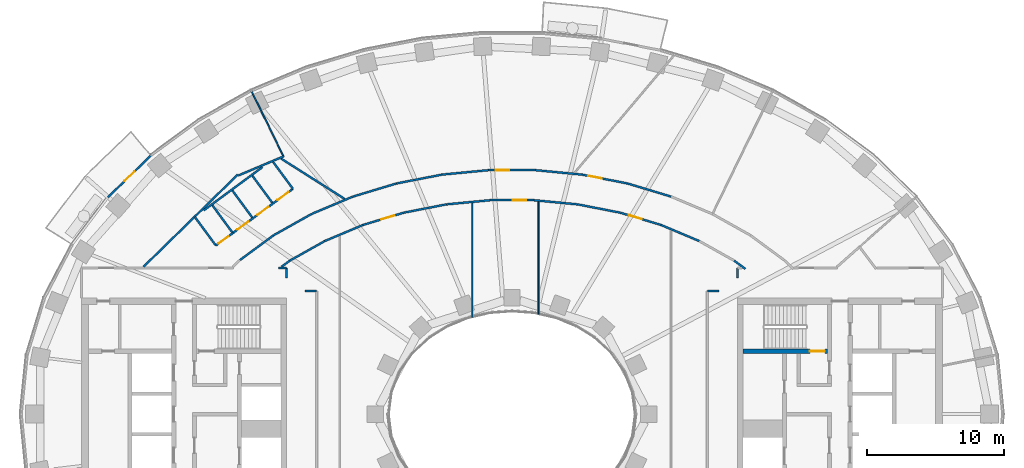
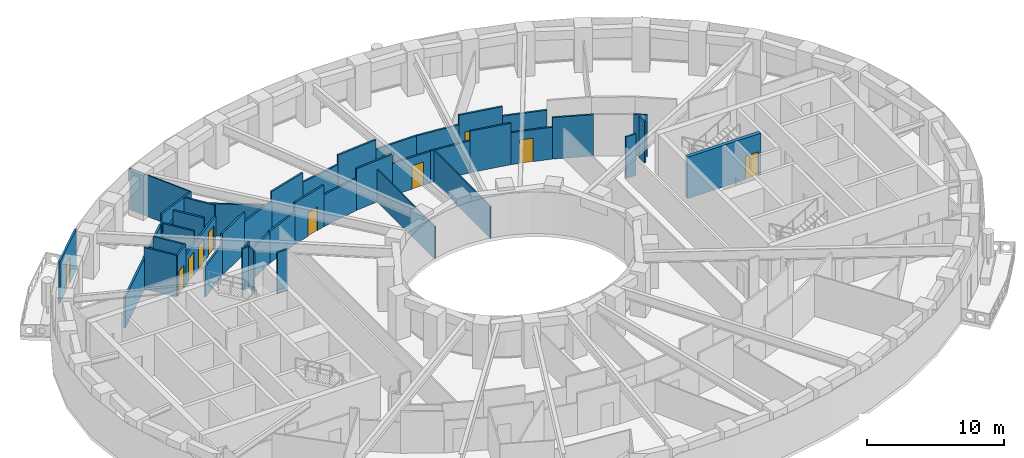
# One storey, part 6 of 17: 43 walls, 11 doors, 11 openings.
"""IFC4 building model written with IfcOpenShell, lengths in metres."""

import ifcopenshell
import ifcopenshell.guid

model = None  # the IFC model being written
_history = None  # IfcOwnerHistory: only IFC2X3 demands one
_inside = {}  # id of a spatial element -> (the spatial element, [elements in it])
_under = {}  # id of a project, library or spatial element -> (it, [spatial elements below it])
_declared = {}  # id of a project -> (the project, [libraries it declares])
_typed = {}  # id of a type object -> (the type object, [elements of that type])
_made_of = {}  # id of a material, layer set ... -> (it, [elements and type objects made of it])


def new_model(schema):
    """Start an empty IFC model of exactly this schema.

    Asked for "IFC4X3", IfcOpenShell would pick the latest addendum, in which some entities
    have other attributes; the version numbers below select the first issue.
    IFC2X3 requires an IfcOwnerHistory on every rooted entity: one is made here for all.
    """
    global model, _history
    if schema == "IFC4X3":
        model = ifcopenshell.file(schema_version=(4, 3, 0, 0))
    else:
        model = ifcopenshell.file(schema=schema)
    _inside.clear()
    _under.clear()
    _declared.clear()
    _typed.clear()
    _made_of.clear()
    _history = None
    if model.schema == "IFC2X3":
        org = make("IfcOrganization", Name="unknown")
        user = make(
            "IfcPersonAndOrganization",
            ThePerson=make("IfcPerson", FamilyName="unknown"),
            TheOrganization=org,
        )
        app = make(
            "IfcApplication",
            ApplicationDeveloper=org,
            Version="unknown",
            ApplicationFullName="unknown",
            ApplicationIdentifier="unknown",
        )
        _history = make(
            "IfcOwnerHistory",
            OwningUser=user,
            OwningApplication=app,
            ChangeAction="ADDED",
            CreationDate=0,
        )
    return model


def make(cls, **values):
    """One entity of the class cls with the attributes given. An attribute that is None is left unset."""
    return model.create_entity(
        cls, **{name: value for name, value in values.items() if value is not None}
    )


def rooted(cls, **values):
    """An entity with a GlobalId (a new one), such as an element, a storey or a relation."""
    return make(cls, GlobalId=ifcopenshell.guid.new(), OwnerHistory=_history, **values)


def si_unit(unit_type, name, prefix=None):
    """IfcSIUnit, for example si_unit("LENGTHUNIT", "METRE", prefix="MILLI")."""
    return make("IfcSIUnit", UnitType=unit_type, Prefix=prefix, Name=name)


def assignment(units):
    """IfcUnitAssignment: the units of a project."""
    return None if units is None else make("IfcUnitAssignment", Units=units)


def point(xyz):
    """IfcCartesianPoint."""
    return None if xyz is None else make("IfcCartesianPoint", Coordinates=xyz)


def direction(xyz):
    """IfcDirection."""
    return None if xyz is None else make("IfcDirection", DirectionRatios=xyz)


def frame(location, z_axis=None, x_axis=None):
    """IfcAxis2Placement3D, a coordinate frame: its origin and axes. An axis left out is left unset."""
    return make(
        "IfcAxis2Placement3D",
        Location=point(location),
        Axis=direction(z_axis),
        RefDirection=direction(x_axis),
    )


def frame_2d(location, x_axis=None):
    """IfcAxis2Placement2D, a coordinate frame in the plane: its origin and x axis."""
    return make(
        "IfcAxis2Placement2D", Location=point(location), RefDirection=direction(x_axis)
    )


def origin():
    """The frame at (0, 0, 0) with its axes left unset."""
    return frame((0.0, 0.0, 0.0))


def place(relative_to, where):
    """IfcLocalPlacement: puts the frame where relative to a parent placement (None: the world)."""
    return make(
        "IfcLocalPlacement", PlacementRelTo=relative_to, RelativePlacement=where
    )


def context(
    kind, dimensions, precision=None, world=None, true_north=None, identifier=None
):
    """IfcGeometricRepresentationContext, for example the 3D "Model" context."""
    return make(
        "IfcGeometricRepresentationContext",
        ContextIdentifier=identifier,
        ContextType=kind,
        CoordinateSpaceDimension=dimensions,
        Precision=precision,
        WorldCoordinateSystem=world,
        TrueNorth=true_north,
    )


def subcontext(parent, identifier, kind, view, scale=None):
    """IfcGeometricRepresentationSubContext, for example "Body" below "Model"."""
    return make(
        "IfcGeometricRepresentationSubContext",
        ContextIdentifier=identifier,
        ContextType=kind,
        ParentContext=parent,
        TargetScale=scale,
        TargetView=view,
    )


def project(units=None, contexts=None):
    """IfcProject with its units and contexts."""
    return rooted(
        "IfcProject",
        Name="project",
        RepresentationContexts=contexts,
        UnitsInContext=assignment(units),
    )


def spatial(cls, under=None, at=None, **own):
    """A site, building, storey or space (cls), placed at a placement, below another one or the project."""
    s = rooted(cls, ObjectPlacement=at, **own)
    if under is not None:
        _under.setdefault(under.id(), (under, []))[1].append(s)
    return s


def profile(cls, at=None, kind="AREA", **sizes):
    """A parametric profile (cls). Its sizes go by their IFC names, for example OverallWidth=200.0."""
    return make(cls, ProfileType=kind, Position=at, **sizes)


def rectangle(**sizes):
    """IfcRectangleProfileDef."""
    return profile("IfcRectangleProfileDef", **sizes)


def extrude(swept, where, along, depth):
    """IfcExtrudedAreaSolid: the profile swept, set in the frame where, extruded along a direction by depth."""
    return make(
        "IfcExtrudedAreaSolid",
        SweptArea=swept,
        Position=where,
        ExtrudedDirection=direction(along),
        Depth=depth,
    )


def shape(context_of_items, identifier, shape_type, items):
    """IfcShapeRepresentation: the items that make up one representation, for example the "Body"."""
    return make(
        "IfcShapeRepresentation",
        ContextOfItems=context_of_items,
        RepresentationIdentifier=identifier,
        RepresentationType=shape_type,
        Items=items,
    )


def material(Name=None, Category=None):
    """IfcMaterial."""
    return make("IfcMaterial", Name=Name, Category=Category)


def layer(
    of_material, thickness, ventilated=None, Name=None, Category=None, Priority=None
):
    """IfcMaterialLayer: one layer of a wall or slab, of a material (None: an air gap)."""
    return make(
        "IfcMaterialLayer",
        Material=of_material,
        LayerThickness=thickness,
        IsVentilated=ventilated,
        Name=Name,
        Category=Category,
        Priority=Priority,
    )


def layer_set(layers, Name=None):
    """IfcMaterialLayerSet."""
    return make("IfcMaterialLayerSet", MaterialLayers=layers, LayerSetName=Name)


def made_of(thing, what):
    """Note that an element or type object is made of a material, layer set ...; save() writes the relation."""
    if what is not None:
        _made_of.setdefault(what.id(), (what, []))[1].append(thing)
    return thing


def type_object(cls, material=None, **own):
    """A type object (cls), such as IfcWallType, which elements share."""
    return made_of(rooted(cls, **own), material)


def element(
    cls,
    number,
    at=None,
    inside=None,
    cuts=None,
    type_object=None,
    material=None,
    context=None,
    identifier="Body",
    shape_type=None,
    held_by="IfcProductDefinitionShape",
    body=None,
    shapes=None,
    **own,
):
    """One element of the class cls, such as IfcWall. Its Tag is "e" and its number.

    at: its placement. inside: the storey or other place that contains it. cuts: it is an
    opening in that element (IfcRelVoidsElement). A single representation is given by context,
    identifier, shape_type and body (its items); several are given by shapes. held_by: the class
    of the entity that holds the representations. save() writes the other relations.
    """
    e = rooted(cls, Tag="e%d" % number, ObjectPlacement=at, **own)
    if body is not None:
        shapes = [shape(context, identifier, shape_type, body)]
    if shapes is not None:
        e.Representation = make(held_by, Representations=shapes)
    if inside is not None:
        _inside.setdefault(inside.id(), (inside, []))[1].append(e)
    if cuts is not None:
        rooted(
            "IfcRelVoidsElement", RelatingBuildingElement=cuts, RelatedOpeningElement=e
        )
    if type_object is not None:
        _typed.setdefault(type_object.id(), (type_object, []))[1].append(e)
    return made_of(e, material)


def fill(opening, filler):
    """IfcRelFillsElement: the door or window that sits in an opening."""
    return rooted(
        "IfcRelFillsElement",
        RelatingOpeningElement=opening,
        RelatedBuildingElement=filler,
    )


def aggregate(whole, parts):
    """IfcRelAggregates: a whole, such as a stair, and the parts it consists of."""
    return rooted("IfcRelAggregates", RelatingObject=whole, RelatedObjects=parts)


def save(model, path):
    """Write the relations noted so far, then the file.

    IfcRelAggregates (storeys below a building ...), IfcRelContainedInSpatialStructure (elements
    in a storey), IfcRelDefinesByType, IfcRelAssociatesMaterial and IfcRelDeclares: one each for
    every whole, place, type object, material and project.
    """
    for whole, parts in _under.values():
        aggregate(whole, parts)
    for where, things in _inside.values():
        rooted(
            "IfcRelContainedInSpatialStructure",
            RelatedElements=things,
            RelatingStructure=where,
        )
    for kind, things in _typed.values():
        rooted("IfcRelDefinesByType", RelatedObjects=things, RelatingType=kind)
    for what, things in _made_of.values():
        rooted("IfcRelAssociatesMaterial", RelatedObjects=things, RelatingMaterial=what)
    for by, libraries in _declared.values():
        rooted("IfcRelDeclares", RelatingContext=by, RelatedDefinitions=libraries)
    model.write(path)


model = new_model("IFC4")

# Units and contexts
model_context = context("Model", 3, precision=1e-05, world=origin(), true_north=direction((0.0, 1.0)))
body_context = subcontext(model_context, "Body", "Model", "MODEL_VIEW")
ifc_project = project(units=[si_unit("LENGTHUNIT", "METRE"), si_unit("AREAUNIT", "SQUARE_METRE"), si_unit("VOLUMEUNIT", "CUBIC_METRE"), si_unit("PLANEANGLEUNIT", "RADIAN"), si_unit("MASSUNIT", "GRAM", prefix="KILO")], contexts=[model_context])

# Site, building, storey
site_placement = place(None, origin())
site = spatial("IfcSite", under=ifc_project, at=site_placement, CompositionType="ELEMENT")
building_placement = place(site_placement, origin())
building = spatial("IfcBuilding", under=site, at=building_placement, Name="Noorbagh Ring Tower", CompositionType="ELEMENT")
storey_placement = place(building_placement, frame((0.0, 0.0, 112.0)))
storey = spatial("IfcBuildingStorey", under=building, at=storey_placement, Name="L25", CompositionType="ELEMENT", Elevation=112.0)

# Walls
ifc_material_1 = material(Name="Gypsum board on steel studs", Category="steel")
ifc_layer_1 = layer(ifc_material_1, 0.14990234375)
ifc_layer_set_1 = layer_set([ifc_layer_1], Name="Gypsum board on steel studs")
wall_type_1 = type_object("IfcWallType", Name="COMPARTMENT PARTITION 150 EI 60", PredefinedType="PARTITIONING", material=ifc_layer_set_1)
wall_1_placement = place(storey_placement, frame((-23.20703125, 14.422119140625, 0.0), z_axis=(0.0, 0.0, 1.0), x_axis=(0.592948747936, -0.80524020163, 0.0)))
element("IfcWall", 1, at=wall_1_placement, inside=storey, type_object=wall_type_1, Name="L25/wall/P09", PredefinedType="PARTITIONING", context=body_context, shape_type="SweptSolid", body=[
    extrude(rectangle(XDim=2.595703125, YDim=0.14990234375, at=frame_2d((1.2978515625, 0.0))), origin(), (0.0, 0.0, 1.0), 3.699951171875),
])
wall_2_placement = place(storey_placement, frame((-21.925048828125, 15.279052734375, 0.0), z_axis=(0.0, 0.0, 1.0), x_axis=(0.592783466835, -0.805361882291, 0.0)))
element("IfcWall", 2, at=wall_2_placement, inside=storey, type_object=wall_type_1, Name="L25/wall/P11", PredefinedType="PARTITIONING", context=body_context, shape_type="SweptSolid", body=[
    extrude(rectangle(XDim=2.525390625, YDim=0.14990234375, at=frame_2d((1.2626953125, 0.0))), origin(), (0.0, 0.0, 1.0), 3.699951171875),
])

# Wall, opening, door
wall_3_placement = place(storey_placement, frame((-21.66796875, 12.33203125, 0.0), z_axis=(0.0, 0.0, 1.0), x_axis=(0.805239105185, 0.592950236935, 0.0)))
wall_3 = element("IfcWall", 3, at=wall_3_placement, inside=storey, type_object=wall_type_1, Name="L25/wall/P12", PredefinedType="PARTITIONING", context=body_context, shape_type="SweptSolid", body=[
    extrude(rectangle(XDim=1.539794921875, YDim=0.14990234375, at=frame_2d((0.77001953125, 0.0))), origin(), (0.0, 0.0, 1.0), 3.699951171875),
])
opening_1_placement = place(wall_3_placement, frame((0.239990234375, 0.0, 0.0)))
opening_1 = element("IfcOpeningElement", 4, at=opening_1_placement, cuts=wall_3, Name="Opening D4", PredefinedType="OPENING", context=body_context, shape_type="SweptSolid", body=[
    extrude(rectangle(XDim=0.89990234375, YDim=2.10009765625, at=frame_2d((0.449951171875, 1.050048828125))), frame((0.0, 0.0849609375, 0.0), z_axis=(0.0, -1.0, 0.0), x_axis=(1.0, 0.0, 0.0)), (0.0, 0.0, 1.0), 0.169921875),
])
ifc_material_2 = material(Name="Timber, painted", Category="wood")
door_type_1 = type_object("IfcDoorType", Name="DOOR 900 X 2100 FD60", OperationType="SINGLE_SWING_LEFT", PredefinedType="DOOR", material=ifc_material_2)
door_1_placement = place(opening_1_placement, origin())
door_1 = element("IfcDoor", 5, at=door_1_placement, inside=storey, type_object=door_type_1, Name="L25-D05", OperationType="SINGLE_SWING_LEFT", OverallHeight=2.10009765625, OverallWidth=0.89990234375, PredefinedType="DOOR", context=body_context, shape_type="SweptSolid", body=[
    extrude(rectangle(XDim=0.89990234375, YDim=2.10009765625, at=frame_2d((0.449951171875, 1.050048828125))), frame((0.0, 0.02490234375, 0.0), z_axis=(0.0, -1.0, 0.0), x_axis=(1.0, 0.0, 0.0)), (0.0, 0.0, 1.0), 0.050048828125),
])
fill(opening_1, door_1)

ifc_material_3 = material(Name="Concrete C70/85", Category="concrete")
ifc_layer_2 = layer(ifc_material_3, 0.300048828125)
ifc_layer_set_2 = layer_set([ifc_layer_2], Name="Concrete C70/85")
wall_type_2 = type_object("IfcWallType", Name="CORE-WALL-300-C70-85-EI240", PredefinedType="SHEAR", material=ifc_layer_set_2)
wall_4_placement = place(storey_placement, frame((16.89990234375, 4.60009765625, 0.0), z_axis=(0.0, 0.0, 1.0), x_axis=(1.0, 0.0, 0.0)))
wall_4 = element("IfcWall", 6, at=wall_4_placement, inside=storey, type_object=wall_type_2, Name="Core wall E", PredefinedType="SHEAR", context=body_context, shape_type="SweptSolid", body=[
    extrude(rectangle(XDim=6.18017578125, YDim=0.300048828125, at=frame_2d((3.090087890625, 0.0))), origin(), (0.0, 0.0, 1.0), 3.699951171875),
])
opening_2_placement = place(wall_4_placement, frame((4.89990234375, 0.0, 0.0)))
opening_2 = element("IfcOpeningElement", 7, at=opening_2_placement, cuts=wall_4, Name="Opening L25-CE05", PredefinedType="OPENING", context=body_context, shape_type="SweptSolid", body=[
    extrude(rectangle(XDim=1.10009765625, YDim=2.10009765625, at=frame_2d((0.550048828125, 1.050048828125))), frame((0.0, 0.16015625, 0.0), z_axis=(0.0, -1.0, 0.0), x_axis=(1.0, 0.0, 0.0)), (0.0, 0.0, 1.0), 0.320068359375),
])
ifc_material_4 = material(Name="Steel door leaf", Category="steel")
door_type_2 = type_object("IfcDoorType", Name="CORE-DOOR-DSTAIR", OperationType="SINGLE_SWING_LEFT", PredefinedType="DOOR", material=ifc_material_4)
door_2_placement = place(opening_2_placement, origin())
door_2 = element("IfcDoor", 8, at=door_2_placement, inside=storey, type_object=door_type_2, Name="Stair door ST3 L25-CE05", OperationType="SINGLE_SWING_LEFT", OverallHeight=2.10009765625, OverallWidth=1.10009765625, PredefinedType="DOOR", context=body_context, shape_type="SweptSolid", body=[
    extrude(rectangle(XDim=1.10009765625, YDim=2.10009765625, at=frame_2d((0.550048828125, 1.050048828125))), frame((0.0, 0.02490234375, 0.0), z_axis=(0.0, -1.0, 0.0), x_axis=(1.0, 0.0, 0.0)), (0.0, 0.0, 1.0), 0.050048828125),
])
fill(opening_2, door_2)

# Walls
ifc_material_5 = material(Name="Gypsum board on steel studs", Category="steel")
ifc_layer_3 = layer(ifc_material_5, 0.14990234375)
ifc_layer_set_3 = layer_set([ifc_layer_3], Name="Gypsum board on steel studs")
wall_type_3 = type_object("IfcWallType", Name="CORRIDOR PARTITION 150 EI 30", PredefinedType="PARTITIONING", material=ifc_layer_set_3)
wall_5_placement = place(storey_placement, frame((-26.964111328125, 10.777099609375, 0.0), z_axis=(0.0, 0.0, 1.0), x_axis=(0.715000199822, 0.69912424808, 0.0)))
element("IfcWall", 9, at=wall_5_placement, inside=storey, type_object=wall_type_3, Name="L25/wall/P07", PredefinedType="PARTITIONING", context=body_context, shape_type="SweptSolid", body=[
    extrude(rectangle(XDim=9.64208984375, YDim=0.14990234375, at=frame_2d((4.821044921875, 0.0))), origin(), (0.0, 0.0, 1.0), 2.75),
])
wall_6_placement = place(storey_placement, frame((-22.56201171875, 14.902099609375, 0.0), z_axis=(0.0, 0.0, 1.0), x_axis=(0.805140814791, 0.593083694227, 0.0)))
element("IfcWall", 10, at=wall_6_placement, inside=storey, type_object=wall_type_3, Name="L25/wall/P10", PredefinedType="PARTITIONING", context=body_context, shape_type="SweptSolid", body=[
    extrude(rectangle(XDim=5.34326171875, YDim=0.14990234375, at=frame_2d((2.671630859375, 0.0))), origin(), (0.0, 0.0, 1.0), 2.75),
])
wall_7_placement = place(storey_placement, frame((-20.4599609375, 16.35791015625, 0.0), z_axis=(0.0, 0.0, 1.0), x_axis=(0.59304615898, -0.805168462695, 0.0)))
element("IfcWall", 11, at=wall_7_placement, inside=storey, type_object=wall_type_3, Name="L25/wall/P13", PredefinedType="PARTITIONING", context=body_context, shape_type="SweptSolid", body=[
    extrude(rectangle(XDim=2.451416015625, YDim=0.14990234375, at=frame_2d((1.2255859375, 0.0))), origin(), (0.0, 0.0, 1.0), 3.699951171875),
])

# Wall, openings, doors
wall_8_placement = place(storey_placement, frame((-20.427978515625, 13.2451171875, 0.0), z_axis=(0.0, 0.0, 1.0), x_axis=(0.80538609279, 0.592750572788, 0.0)))
wall_8 = element("IfcWall", 12, at=wall_8_placement, inside=storey, type_object=wall_type_3, Name="L25/wall/P16", PredefinedType="PARTITIONING", context=body_context, shape_type="SweptSolid", body=[
    extrude(rectangle(XDim=5.460693359375, YDim=0.14990234375, at=frame_2d((2.73046875, 0.0))), origin(), (0.0, 0.0, 1.0), 2.75),
])
opening_3_placement = place(wall_8_placement, frame((4.060546875, 0.0, 0.0)))
opening_3 = element("IfcOpeningElement", 13, at=opening_3_placement, cuts=wall_8, Name="Opening D3", PredefinedType="OPENING", context=body_context, shape_type="SweptSolid", body=[
    extrude(rectangle(XDim=1.0, YDim=2.10009765625, at=frame_2d((0.5, 1.050048828125))), frame((0.0, 0.0849609375, 0.0), z_axis=(0.0, -1.0, 0.0), x_axis=(1.0, 0.0, 0.0)), (0.0, 0.0, 1.0), 0.169921875),
])
opening_4_placement = place(wall_8_placement, frame((2.240234375, 0.0, 0.0)))
opening_4 = element("IfcOpeningElement", 14, at=opening_4_placement, cuts=wall_8, Name="Opening D3", PredefinedType="OPENING", context=body_context, shape_type="SweptSolid", body=[
    extrude(rectangle(XDim=1.0, YDim=2.10009765625, at=frame_2d((0.5, 1.050048828125))), frame((0.0, 0.0849609375, 0.0), z_axis=(0.0, -1.0, 0.0), x_axis=(1.0, 0.0, 0.0)), (0.0, 0.0, 1.0), 0.169921875),
])
opening_5_placement = place(wall_8_placement, frame((0.42041015625, 0.0, 0.0)))
opening_5 = element("IfcOpeningElement", 15, at=opening_5_placement, cuts=wall_8, Name="Opening D3", PredefinedType="OPENING", context=body_context, shape_type="SweptSolid", body=[
    extrude(rectangle(XDim=1.0, YDim=2.10009765625, at=frame_2d((0.5, 1.050048828125))), frame((0.0, 0.0849609375, 0.0), z_axis=(0.0, -1.0, 0.0), x_axis=(1.0, 0.0, 0.0)), (0.0, 0.0, 1.0), 0.169921875),
])
ifc_material_6 = material(Name="Timber, painted", Category="wood")
door_type_3 = type_object("IfcDoorType", Name="DOOR 1000 X 2100 WC", OperationType="SINGLE_SWING_LEFT", PredefinedType="DOOR", material=ifc_material_6)
door_3_placement = place(opening_3_placement, origin())
door_3 = element("IfcDoor", 16, at=door_3_placement, inside=storey, type_object=door_type_3, Name="L25-D02", OperationType="SINGLE_SWING_RIGHT", OverallHeight=2.10009765625, OverallWidth=1.0, PredefinedType="DOOR", context=body_context, shape_type="SweptSolid", body=[
    extrude(rectangle(XDim=1.0, YDim=2.10009765625, at=frame_2d((0.5, 1.050048828125))), frame((0.0, 0.02490234375, 0.0), z_axis=(0.0, -1.0, 0.0), x_axis=(1.0, 0.0, 0.0)), (0.0, 0.0, 1.0), 0.050048828125),
])
fill(opening_3, door_3)
door_4_placement = place(opening_4_placement, origin())
door_4 = element("IfcDoor", 17, at=door_4_placement, inside=storey, type_object=door_type_3, Name="L25-D03", OperationType="SINGLE_SWING_LEFT", OverallHeight=2.10009765625, OverallWidth=1.0, PredefinedType="DOOR", context=body_context, shape_type="SweptSolid", body=[
    extrude(rectangle(XDim=1.0, YDim=2.10009765625, at=frame_2d((0.5, 1.050048828125))), frame((0.0, 0.02490234375, 0.0), z_axis=(0.0, -1.0, 0.0), x_axis=(1.0, 0.0, 0.0)), (0.0, 0.0, 1.0), 0.050048828125),
])
fill(opening_4, door_4)
door_5_placement = place(opening_5_placement, origin())
door_5 = element("IfcDoor", 18, at=door_5_placement, inside=storey, type_object=door_type_3, Name="L25-D04", OperationType="SINGLE_SWING_RIGHT", OverallHeight=2.10009765625, OverallWidth=1.0, PredefinedType="DOOR", context=body_context, shape_type="SweptSolid", body=[
    extrude(rectangle(XDim=1.0, YDim=2.10009765625, at=frame_2d((0.5, 1.050048828125))), frame((0.0, 0.02490234375, 0.0), z_axis=(0.0, -1.0, 0.0), x_axis=(1.0, 0.0, 0.0)), (0.0, 0.0, 1.0), 0.050048828125),
])
fill(opening_5, door_5)

# Walls
wall_9_placement = place(storey_placement, frame((-20.028076171875, 17.45703125, 0.0), z_axis=(0.0, 0.0, 1.0), x_axis=(0.921396911144, 0.388622866201, 0.0)))
element("IfcWall", 19, at=wall_9_placement, inside=storey, type_object=wall_type_3, Name="L25/wall/P17", PredefinedType="PARTITIONING", context=body_context, shape_type="SweptSolid", body=[
    extrude(rectangle(XDim=3.587158203125, YDim=0.14990234375, at=frame_2d((1.79345703125, 0.0))), origin(), (0.0, 0.0, 1.0), 3.699951171875),
])
wall_10_placement = place(storey_placement, frame((-19.9189453125, 11.260009765625, 0.0), z_axis=(0.0, 0.0, 1.0), x_axis=(0.805185638843, 0.593022838516, 0.0)))
element("IfcWall", 20, at=wall_10_placement, inside=storey, type_object=wall_type_3, Name="L25/wall/P18", PredefinedType="PARTITIONING", context=body_context, shape_type="SweptSolid", body=[
    extrude(rectangle(XDim=3.072509765625, YDim=0.14990234375, at=frame_2d((1.5361328125, 0.0))), origin(), (0.0, 0.0, 1.0), 2.75),
])
wall_11_placement = place(storey_placement, frame((-18.9951171875, 17.43701171875, 0.0), z_axis=(0.0, 0.0, 1.0), x_axis=(0.593300972215, -0.80498071801, 0.0)))
element("IfcWall", 21, at=wall_11_placement, inside=storey, type_object=wall_type_3, Name="L25/wall/P21", PredefinedType="PARTITIONING", context=body_context, shape_type="SweptSolid", body=[
    extrude(rectangle(XDim=2.450927734375, YDim=0.14990234375, at=frame_2d((1.2255859375, 0.0))), origin(), (0.0, 0.0, 1.0), 3.699951171875),
])
wall_12_placement = place(storey_placement, frame((-17.47998046875, 18.448974609375, 0.0), z_axis=(0.0, 0.0, 1.0), x_axis=(0.593277461832, -0.804998045515, 0.0)))
element("IfcWall", 22, at=wall_12_placement, inside=storey, type_object=wall_type_3, Name="L25/wall/P22", PredefinedType="PARTITIONING", context=body_context, shape_type="SweptSolid", body=[
    extrude(rectangle(XDim=2.4423828125, YDim=0.14990234375, at=frame_2d((1.22119140625, 0.0))), origin(), (0.0, 0.0, 1.0), 3.699951171875),
])
wall_13_placement = place(storey_placement, frame((-17.445068359375, 13.08203125, 0.0), z_axis=(0.0, 0.0, 1.0), x_axis=(0.872072095629, 0.489377420837, 0.0)))
element("IfcWall", 23, at=wall_13_placement, inside=storey, type_object=wall_type_3, Name="L25/wall/P24", PredefinedType="PARTITIONING", context=body_context, shape_type="SweptSolid", body=[
    extrude(rectangle(XDim=3.187744140625, YDim=0.14990234375, at=frame_2d((1.59375, 0.0))), origin(), (0.0, 0.0, 1.0), 3.699951171875),
])
wall_14_placement = place(storey_placement, frame((-16.89892578125, 18.695068359375, 0.0), z_axis=(0.0, 0.0, 1.0), x_axis=(0.844493920995, -0.535565138337, 0.0)))
element("IfcWall", 24, at=wall_14_placement, inside=storey, type_object=wall_type_3, Name="L25/wall/P25", PredefinedType="PARTITIONING", context=body_context, shape_type="SweptSolid", body=[
    extrude(rectangle(XDim=5.51220703125, YDim=0.14990234375, at=frame_2d((2.756103515625, 0.0))), origin(), (0.0, 0.0, 1.0), 2.85009765625),
])
wall_15_placement = place(storey_placement, frame((-17.094970703125, 10.699951171875, 0.0), z_axis=(0.0, 0.0, 1.0), x_axis=(1.0, 0.0, 0.0)))
element("IfcWall", 25, at=wall_15_placement, inside=storey, type_object=wall_type_3, Name="L25/wall/P28", PredefinedType="PARTITIONING", context=body_context, shape_type="SweptSolid", body=[
    extrude(rectangle(XDim=0.594970703125, YDim=0.14990234375, at=frame_2d((0.29736328125, 0.0))), origin(), (0.0, 0.0, 1.0), 3.699951171875),
])
wall_16_placement = place(storey_placement, frame((-16.866943359375, 10.77490234375, 0.0), z_axis=(0.0, 0.0, 1.0), x_axis=(0.804751563869, 0.593611759023, 0.0)))
element("IfcWall", 26, at=wall_16_placement, inside=storey, type_object=wall_type_3, Name="L25/wall/P29", PredefinedType="PARTITIONING", context=body_context, shape_type="SweptSolid", body=[
    extrude(rectangle(XDim=0.7666015625, YDim=0.14990234375, at=frame_2d((0.38330078125, 0.0))), origin(), (0.0, 0.0, 1.0), 3.699951171875),
])
wall_17_placement = place(storey_placement, frame((-16.5, 9.964111328125, 0.0), z_axis=(0.0, 0.0, 1.0), x_axis=(0.0, 1.0, 0.0)))
element("IfcWall", 27, at=wall_17_placement, inside=storey, type_object=wall_type_3, Name="L25/wall/P31", PredefinedType="PARTITIONING", context=body_context, shape_type="SweptSolid", body=[
    extrude(rectangle(XDim=0.73583984375, YDim=0.14990234375, at=frame_2d((0.367919921875, 0.0))), origin(), (0.0, 0.0, 1.0), 3.699951171875),
])
wall_18_placement = place(storey_placement, frame((-16.25, 11.22998046875, 0.0), z_axis=(0.0, 0.0, 1.0), x_axis=(0.872147381065, 0.489243237767, 0.0)))
element("IfcWall", 28, at=wall_18_placement, inside=storey, type_object=wall_type_3, Name="L25/wall/P33", PredefinedType="PARTITIONING", context=body_context, shape_type="SweptSolid", body=[
    extrude(rectangle(XDim=2.92724609375, YDim=0.14990234375, at=frame_2d((1.463623046875, 0.0))), origin(), (0.0, 0.0, 1.0), 2.75),
])
wall_19_placement = place(storey_placement, frame((-15.134033203125, 9.0, 0.0), z_axis=(0.0, 0.0, 1.0), x_axis=(1.0, 0.0, 0.0)))
element("IfcWall", 29, at=wall_19_placement, inside=storey, type_object=wall_type_3, Name="L25/wall/P35", PredefinedType="PARTITIONING", context=body_context, shape_type="SweptSolid", body=[
    extrude(rectangle(XDim=0.833984375, YDim=0.14990234375, at=frame_2d((0.4169921875, 0.0))), origin(), (0.0, 0.0, 1.0), 3.699951171875),
])
wall_20_placement = place(storey_placement, frame((-14.6650390625, 14.64208984375, 0.0), z_axis=(0.0, 0.0, 1.0), x_axis=(0.921789499058, 0.38769075231, 0.0)))
element("IfcWall", 30, at=wall_20_placement, inside=storey, type_object=wall_type_3, Name="L25/wall/P37", PredefinedType="PARTITIONING", context=body_context, shape_type="SweptSolid", body=[
    extrude(rectangle(XDim=3.2783203125, YDim=0.14990234375, at=frame_2d((1.63916015625, 0.0))), origin(), (0.0, 0.0, 1.0), 2.85009765625),
])
wall_21_placement = place(storey_placement, frame((-13.697021484375, 12.662109375, 0.0), z_axis=(0.0, 0.0, 1.0), x_axis=(0.921751821358, 0.387780324183, 0.0)))
element("IfcWall", 31, at=wall_21_placement, inside=storey, type_object=wall_type_3, Name="L25/wall/P40", PredefinedType="PARTITIONING", context=body_context, shape_type="SweptSolid", body=[
    extrude(rectangle(XDim=3.037841796875, YDim=0.14990234375, at=frame_2d((1.51904296875, 0.0))), origin(), (0.0, 0.0, 1.0), 2.85009765625),
])
wall_22_placement = place(storey_placement, frame((-11.64306640625, 15.9130859375, 0.0), z_axis=(0.0, 0.0, 1.0), x_axis=(0.957584891346, 0.288151307243, 0.0)))
element("IfcWall", 32, at=wall_22_placement, inside=storey, type_object=wall_type_3, Name="L25/wall/P46", PredefinedType="PARTITIONING", context=body_context, shape_type="SweptSolid", body=[
    extrude(rectangle(XDim=3.344970703125, YDim=0.14990234375, at=frame_2d((1.67236328125, 0.0))), origin(), (0.0, 0.0, 1.0), 3.699951171875),
])

# Wall, opening, door
wall_23_placement = place(storey_placement, frame((-10.89697265625, 13.840087890625, 0.0), z_axis=(0.0, 0.0, 1.0), x_axis=(0.957606118849, 0.28808075455, 0.0)))
wall_23 = element("IfcWall", 33, at=wall_23_placement, inside=storey, type_object=wall_type_3, Name="L25/wall/P48", PredefinedType="PARTITIONING", context=body_context, shape_type="SweptSolid", body=[
    extrude(rectangle(XDim=3.116943359375, YDim=0.14990234375, at=frame_2d((1.55859375, 0.0))), origin(), (0.0, 0.0, 1.0), 3.699951171875),
])
opening_6_placement = place(wall_23_placement, frame((1.39990234375, 0.0, 0.0)))
opening_6 = element("IfcOpeningElement", 34, at=opening_6_placement, cuts=wall_23, Name="Opening D1", PredefinedType="OPENING", context=body_context, shape_type="SweptSolid", body=[
    extrude(rectangle(XDim=1.0, YDim=2.10009765625, at=frame_2d((0.5, 1.050048828125))), frame((0.0, 0.0849609375, 0.0), z_axis=(0.0, -1.0, 0.0), x_axis=(1.0, 0.0, 0.0)), (0.0, 0.0, 1.0), 0.169921875),
])
ifc_material_7 = material(Name="Timber, painted", Category="wood")
door_type_4 = type_object("IfcDoorType", Name="DOOR 1000 X 2100 FD30", OperationType="SINGLE_SWING_LEFT", PredefinedType="DOOR", material=ifc_material_7)
door_6_placement = place(opening_6_placement, origin())
door_6 = element("IfcDoor", 35, at=door_6_placement, inside=storey, type_object=door_type_4, Name="L25-D22", OperationType="SINGLE_SWING_RIGHT", OverallHeight=2.10009765625, OverallWidth=1.0, PredefinedType="DOOR", context=body_context, shape_type="SweptSolid", body=[
    extrude(rectangle(XDim=1.0, YDim=2.10009765625, at=frame_2d((0.5, 1.050048828125))), frame((0.0, 0.02490234375, 0.0), z_axis=(0.0, -1.0, 0.0), x_axis=(1.0, 0.0, 0.0)), (0.0, 0.0, 1.0), 0.050048828125),
])
fill(opening_6, door_6)

# Walls
wall_24_placement = place(storey_placement, frame((-8.43994140625, 16.876953125, 0.0), z_axis=(0.0, 0.0, 1.0), x_axis=(0.981665220565, 0.190613207134, 0.0)))
element("IfcWall", 36, at=wall_24_placement, inside=storey, type_object=wall_type_3, Name="L25/wall/P51", PredefinedType="PARTITIONING", context=body_context, shape_type="SweptSolid", body=[
    extrude(rectangle(XDim=3.38916015625, YDim=0.14990234375, at=frame_2d((1.694580078125, 0.0))), origin(), (0.0, 0.0, 1.0), 2.85009765625),
])
wall_25_placement = place(storey_placement, frame((-7.912109375, 14.738037109375, 0.0), z_axis=(0.0, 0.0, 1.0), x_axis=(0.981588545092, 0.191007665145, 0.0)))
element("IfcWall", 37, at=wall_25_placement, inside=storey, type_object=wall_type_3, Name="L25/wall/P53", PredefinedType="PARTITIONING", context=body_context, shape_type="SweptSolid", body=[
    extrude(rectangle(XDim=3.17236328125, YDim=0.14990234375, at=frame_2d((1.586181640625, 0.0))), origin(), (0.0, 0.0, 1.0), 2.85009765625),
])
wall_26_placement = place(storey_placement, frame((-5.113037109375, 17.52294921875, 0.0), z_axis=(0.0, 0.0, 1.0), x_axis=(0.995466844572, 0.095109207532, 0.0)))
element("IfcWall", 38, at=wall_26_placement, inside=storey, type_object=wall_type_3, Name="L25/wall/P56", PredefinedType="PARTITIONING", context=body_context, shape_type="SweptSolid", body=[
    extrude(rectangle(XDim=3.41650390625, YDim=0.14990234375, at=frame_2d((1.708251953125, 0.0))), origin(), (0.0, 0.0, 1.0), 3.699951171875),
])
wall_27_placement = place(storey_placement, frame((-4.798095703125, 15.343994140625, 0.0), z_axis=(0.0, 0.0, 1.0), x_axis=(0.995491705426, 0.09484863957, 0.0)))
element("IfcWall", 39, at=wall_27_placement, inside=storey, type_object=wall_type_3, Name="L25/wall/P58", PredefinedType="PARTITIONING", context=body_context, shape_type="SweptSolid", body=[
    extrude(rectangle(XDim=3.20458984375, YDim=0.14990234375, at=frame_2d((1.602294921875, 0.0))), origin(), (0.0, 0.0, 1.0), 3.699951171875),
])

# Wall, opening, door
wall_28_placement = place(storey_placement, frame((-1.7119140625, 17.847900390625, 0.0), z_axis=(0.0, 0.0, 1.0), x_axis=(1.0, 0.0, 0.0)))
wall_28 = element("IfcWall", 40, at=wall_28_placement, inside=storey, type_object=wall_type_3, Name="L25/wall/P62", PredefinedType="PARTITIONING", context=body_context, shape_type="SweptSolid", body=[
    extrude(rectangle(XDim=3.423828125, YDim=0.14990234375, at=frame_2d((1.7119140625, 0.0))), origin(), (0.0, 0.0, 1.0), 2.85009765625),
])
opening_7_placement = place(wall_28_placement, frame((0.52392578125, 0.0, 0.0)))
opening_7 = element("IfcOpeningElement", 41, at=opening_7_placement, cuts=wall_28, Name="Opening D1", PredefinedType="OPENING", context=body_context, shape_type="SweptSolid", body=[
    extrude(rectangle(XDim=1.0, YDim=2.10009765625, at=frame_2d((0.5, 1.050048828125))), frame((0.0, 0.0849609375, 0.0), z_axis=(0.0, -1.0, 0.0), x_axis=(1.0, 0.0, 0.0)), (0.0, 0.0, 1.0), 0.169921875),
])
door_7_placement = place(opening_7_placement, origin())
door_7 = element("IfcDoor", 42, at=door_7_placement, inside=storey, type_object=door_type_4, Name="L25-D10", OperationType="SINGLE_SWING_RIGHT", OverallHeight=2.10009765625, OverallWidth=1.0, PredefinedType="DOOR", context=body_context, shape_type="SweptSolid", body=[
    extrude(rectangle(XDim=1.0, YDim=2.10009765625, at=frame_2d((0.5, 1.050048828125))), frame((0.0, 0.02490234375, 0.0), z_axis=(0.0, -1.0, 0.0), x_axis=(1.0, 0.0, 0.0)), (0.0, 0.0, 1.0), 0.050048828125),
])
fill(opening_7, door_7)

wall_29_placement = place(storey_placement, frame((-1.60791015625, 15.64794921875, 0.0), z_axis=(0.0, 0.0, 1.0), x_axis=(1.0, 0.0, 0.0)))
wall_29 = element("IfcWall", 43, at=wall_29_placement, inside=storey, type_object=wall_type_3, Name="L25/wall/P64", PredefinedType="PARTITIONING", context=body_context, shape_type="SweptSolid", body=[
    extrude(rectangle(XDim=3.2158203125, YDim=0.14990234375, at=frame_2d((1.60791015625, 0.0))), origin(), (0.0, 0.0, 1.0), 2.85009765625),
])
opening_8_placement = place(wall_29_placement, frame((1.64990234375, 0.0, 0.0)))
opening_8 = element("IfcOpeningElement", 44, at=opening_8_placement, cuts=wall_29, Name="Opening D1", PredefinedType="OPENING", context=body_context, shape_type="SweptSolid", body=[
    extrude(rectangle(XDim=1.0, YDim=2.10009765625, at=frame_2d((0.5, 1.050048828125))), frame((0.0, 0.0849609375, 0.0), z_axis=(0.0, -1.0, 0.0), x_axis=(1.0, 0.0, 0.0)), (0.0, 0.0, 1.0), 0.169921875),
])
door_8_placement = place(opening_8_placement, origin())
door_8 = element("IfcDoor", 45, at=door_8_placement, inside=storey, type_object=door_type_4, Name="L25-D24", OperationType="SINGLE_SWING_RIGHT", OverallHeight=2.10009765625, OverallWidth=1.0, PredefinedType="DOOR", context=body_context, shape_type="SweptSolid", body=[
    extrude(rectangle(XDim=1.0, YDim=2.10009765625, at=frame_2d((0.5, 1.050048828125))), frame((0.0, 0.02490234375, 0.0), z_axis=(0.0, -1.0, 0.0), x_axis=(1.0, 0.0, 0.0)), (0.0, 0.0, 1.0), 0.050048828125),
])
fill(opening_8, door_8)

# Walls
wall_30_placement = place(storey_placement, frame((1.60791015625, 15.64794921875, 0.0), z_axis=(0.0, 0.0, 1.0), x_axis=(0.995491705426, -0.09484863957, 0.0)))
element("IfcWall", 46, at=wall_30_placement, inside=storey, type_object=wall_type_3, Name="L25/wall/P67", PredefinedType="PARTITIONING", context=body_context, shape_type="SweptSolid", body=[
    extrude(rectangle(XDim=3.20458984375, YDim=0.14990234375, at=frame_2d((1.602294921875, 0.0))), origin(), (0.0, 0.0, 1.0), 2.85009765625),
])
wall_31_placement = place(storey_placement, frame((1.7119140625, 17.847900390625, 0.0), z_axis=(0.0, 0.0, 1.0), x_axis=(0.995466844572, -0.095109207532, 0.0)))
element("IfcWall", 47, at=wall_31_placement, inside=storey, type_object=wall_type_3, Name="L25/wall/P69", PredefinedType="PARTITIONING", context=body_context, shape_type="SweptSolid", body=[
    extrude(rectangle(XDim=3.41650390625, YDim=0.14990234375, at=frame_2d((1.708251953125, 0.0))), origin(), (0.0, 0.0, 1.0), 2.85009765625),
])
wall_32_placement = place(storey_placement, frame((4.798095703125, 15.343994140625, 0.0), z_axis=(0.0, 0.0, 1.0), x_axis=(0.981588545092, -0.191007665145, 0.0)))
element("IfcWall", 48, at=wall_32_placement, inside=storey, type_object=wall_type_3, Name="L25/wall/P74", PredefinedType="PARTITIONING", context=body_context, shape_type="SweptSolid", body=[
    extrude(rectangle(XDim=3.17236328125, YDim=0.14990234375, at=frame_2d((1.586181640625, 0.0))), origin(), (0.0, 0.0, 1.0), 3.699951171875),
])

# Wall, opening, door
wall_33_placement = place(storey_placement, frame((5.113037109375, 17.52294921875, 0.0), z_axis=(0.0, 0.0, 1.0), x_axis=(0.981665220565, -0.190613207134, 0.0)))
wall_33 = element("IfcWall", 49, at=wall_33_placement, inside=storey, type_object=wall_type_3, Name="L25/wall/P76", PredefinedType="PARTITIONING", context=body_context, shape_type="SweptSolid", body=[
    extrude(rectangle(XDim=3.38916015625, YDim=0.14990234375, at=frame_2d((1.694580078125, 0.0))), origin(), (0.0, 0.0, 1.0), 3.699951171875),
])
opening_9_placement = place(wall_33_placement, frame((0.489013671875, 0.0, 0.0)))
opening_9 = element("IfcOpeningElement", 50, at=opening_9_placement, cuts=wall_33, Name="Opening D1", PredefinedType="OPENING", context=body_context, shape_type="SweptSolid", body=[
    extrude(rectangle(XDim=1.0, YDim=2.10009765625, at=frame_2d((0.5, 1.050048828125))), frame((0.0, 0.0849609375, 0.0), z_axis=(0.0, -1.0, 0.0), x_axis=(1.0, 0.0, 0.0)), (0.0, 0.0, 1.0), 0.169921875),
])
door_9_placement = place(opening_9_placement, origin())
door_9 = element("IfcDoor", 51, at=door_9_placement, inside=storey, type_object=door_type_4, Name="L25-D14", OperationType="SINGLE_SWING_RIGHT", OverallHeight=2.10009765625, OverallWidth=1.0, PredefinedType="DOOR", context=body_context, shape_type="SweptSolid", body=[
    extrude(rectangle(XDim=1.0, YDim=2.10009765625, at=frame_2d((0.5, 1.050048828125))), frame((0.0, 0.02490234375, 0.0), z_axis=(0.0, -1.0, 0.0), x_axis=(1.0, 0.0, 0.0)), (0.0, 0.0, 1.0), 0.050048828125),
])
fill(opening_9, door_9)

wall_34_placement = place(storey_placement, frame((7.912109375, 14.738037109375, 0.0), z_axis=(0.0, 0.0, 1.0), x_axis=(0.957606118849, -0.28808075455, 0.0)))
wall_34 = element("IfcWall", 52, at=wall_34_placement, inside=storey, type_object=wall_type_3, Name="L25/wall/P78", PredefinedType="PARTITIONING", context=body_context, shape_type="SweptSolid", body=[
    extrude(rectangle(XDim=3.116943359375, YDim=0.14990234375, at=frame_2d((1.55859375, 0.0))), origin(), (0.0, 0.0, 1.0), 2.85009765625),
])
opening_10_placement = place(wall_34_placement, frame((0.64990234375, 0.0, 0.0)))
opening_10 = element("IfcOpeningElement", 53, at=opening_10_placement, cuts=wall_34, Name="Opening D1", PredefinedType="OPENING", context=body_context, shape_type="SweptSolid", body=[
    extrude(rectangle(XDim=1.0, YDim=2.10009765625, at=frame_2d((0.5, 1.050048828125))), frame((0.0, 0.0849609375, 0.0), z_axis=(0.0, -1.0, 0.0), x_axis=(1.0, 0.0, 0.0)), (0.0, 0.0, 1.0), 0.169921875),
])
door_10_placement = place(opening_10_placement, origin())
door_10 = element("IfcDoor", 54, at=door_10_placement, inside=storey, type_object=door_type_4, Name="L25-D25", OperationType="SINGLE_SWING_LEFT", OverallHeight=2.10009765625, OverallWidth=1.0, PredefinedType="DOOR", context=body_context, shape_type="SweptSolid", body=[
    extrude(rectangle(XDim=1.0, YDim=2.10009765625, at=frame_2d((0.5, 1.050048828125))), frame((0.0, 0.02490234375, 0.0), z_axis=(0.0, -1.0, 0.0), x_axis=(1.0, 0.0, 0.0)), (0.0, 0.0, 1.0), 0.050048828125),
])
fill(opening_10, door_10)

# Walls
wall_35_placement = place(storey_placement, frame((8.43994140625, 16.876953125, 0.0), z_axis=(0.0, 0.0, 1.0), x_axis=(0.957584891346, -0.288151307243, 0.0)))
element("IfcWall", 55, at=wall_35_placement, inside=storey, type_object=wall_type_3, Name="L25/wall/P79", PredefinedType="PARTITIONING", context=body_context, shape_type="SweptSolid", body=[
    extrude(rectangle(XDim=3.344970703125, YDim=0.14990234375, at=frame_2d((1.67236328125, 0.0))), origin(), (0.0, 0.0, 1.0), 2.85009765625),
])
wall_36_placement = place(storey_placement, frame((10.89697265625, 13.840087890625, 0.0), z_axis=(0.0, 0.0, 1.0), x_axis=(0.921751821358, -0.387780324183, 0.0)))
element("IfcWall", 56, at=wall_36_placement, inside=storey, type_object=wall_type_3, Name="L25/wall/P83", PredefinedType="PARTITIONING", context=body_context, shape_type="SweptSolid", body=[
    extrude(rectangle(XDim=3.037841796875, YDim=0.14990234375, at=frame_2d((1.51904296875, 0.0))), origin(), (0.0, 0.0, 1.0), 3.699951171875),
])
wall_37_placement = place(storey_placement, frame((14.300048828125, 9.0, 0.0), z_axis=(0.0, 0.0, 1.0), x_axis=(1.0, 0.0, 0.0)))
element("IfcWall", 57, at=wall_37_placement, inside=storey, type_object=wall_type_3, Name="L25/wall/P91", PredefinedType="PARTITIONING", context=body_context, shape_type="SweptSolid", body=[
    extrude(rectangle(XDim=0.833984375, YDim=0.14990234375, at=frame_2d((0.4169921875, 0.0))), origin(), (0.0, 0.0, 1.0), 3.699951171875),
])
wall_38_placement = place(storey_placement, frame((16.25, 11.22998046875, 0.0), z_axis=(0.0, 0.0, 1.0), x_axis=(0.805055837353, -0.59319903805, 0.0)))
element("IfcWall", 58, at=wall_38_placement, inside=storey, type_object=wall_type_3, Name="L25/wall/P96", PredefinedType="PARTITIONING", context=body_context, shape_type="SweptSolid", body=[
    extrude(rectangle(XDim=1.019775390625, YDim=0.14990234375, at=frame_2d((0.509765625, 0.0))), origin(), (0.0, 0.0, 1.0), 3.699951171875),
])
wall_39_placement = place(storey_placement, frame((16.5, 9.964111328125, 0.0), z_axis=(0.0, 0.0, 1.0), x_axis=(0.0, 1.0, 0.0)))
element("IfcWall", 59, at=wall_39_placement, inside=storey, type_object=wall_type_3, Name="L25/wall/P99", PredefinedType="PARTITIONING", context=body_context, shape_type="SweptSolid", body=[
    extrude(rectangle(XDim=0.73583984375, YDim=0.14990234375, at=frame_2d((0.367919921875, 0.0))), origin(), (0.0, 0.0, 1.0), 3.699951171875),
])

# Wall, opening, door
ifc_material_8 = material(Name="Insulated aluminium clad panel", Category="aluminium")
ifc_layer_4 = layer(ifc_material_8, 0.14990234375)
ifc_layer_set_4 = layer_set([ifc_layer_4], Name="Insulated aluminium clad panel")
wall_type_4 = type_object("IfcWallType", Name="ENV-WALL-DOOR", PredefinedType="STANDARD", material=ifc_layer_set_4)
wall_40_placement = place(storey_placement, frame((-26.396484375, 18.943359375, 0.0), z_axis=(0.0, 0.0, 1.0), x_axis=(-0.717214761864, -0.696852197647, 0.0)))
wall_40 = element("IfcWall", 60, at=wall_40_placement, inside=storey, type_object=wall_type_4, Name="Balcony door wall chord 19", PredefinedType="STANDARD", context=body_context, shape_type="SweptSolid", body=[
    extrude(rectangle(XDim=4.424072265625, YDim=0.14990234375, at=frame_2d((2.2119140625, 0.0))), origin(), (0.0, 0.0, 1.0), 3.699951171875),
])
opening_11_placement = place(wall_40_placement, frame((1.712158203125, 0.0, 0.0)))
opening_11 = element("IfcOpeningElement", 61, at=opening_11_placement, cuts=wall_40, Name="Opening D-BL", PredefinedType="OPENING", context=body_context, shape_type="SweptSolid", body=[
    extrude(rectangle(XDim=1.0, YDim=2.39990234375, at=frame_2d((0.5, 1.199951171875))), frame((0.0, 0.0849609375, 0.0), z_axis=(0.0, -1.0, 0.0), x_axis=(1.0, 0.0, 0.0)), (0.0, 0.0, 1.0), 0.169921875),
])
ifc_material_9 = material(Name="Aluminium and glass", Category="aluminium")
door_type_5 = type_object("IfcDoorType", Name="ENV-DOOR-BALCONY", OperationType="SINGLE_SWING_LEFT", PredefinedType="DOOR", material=ifc_material_9)
door_11_placement = place(opening_11_placement, origin())
door_11 = element("IfcDoor", 62, at=door_11_placement, inside=storey, type_object=door_type_5, Name="Balcony door chord 19", OperationType="SINGLE_SWING_RIGHT", OverallHeight=2.39990234375, OverallWidth=1.0, PredefinedType="DOOR", context=body_context, shape_type="SweptSolid", body=[
    extrude(rectangle(XDim=1.0, YDim=2.39990234375, at=frame_2d((0.5, 1.199951171875))), frame((0.0, 0.02490234375, 0.0), z_axis=(0.0, -1.0, 0.0), x_axis=(1.0, 0.0, 0.0)), (0.0, 0.0, 1.0), 0.050048828125),
])
fill(opening_11, door_11)

# Walls
ifc_material_10 = material(Name="Gypsum board on steel studs", Category="steel")
ifc_layer_5 = layer(ifc_material_10, 0.10009765625)
ifc_layer_set_5 = layer_set([ifc_layer_5], Name="Gypsum board on steel studs")
wall_type_5 = type_object("IfcWallType", Name="PARTITION 100 GYPSUM", PredefinedType="PARTITIONING", material=ifc_layer_set_5)
wall_41_placement = place(storey_placement, frame((-19.0859375, 23.68505859375, 0.0), z_axis=(0.0, 0.0, 1.0), x_axis=(0.439173510656, -0.898402263765, 0.0)))
element("IfcWall", 63, at=wall_41_placement, inside=storey, type_object=wall_type_5, Name="L25/wall/P20", PredefinedType="PARTITIONING", context=body_context, shape_type="SweptSolid", body=[
    extrude(rectangle(XDim=5.380615234375, YDim=0.10009765625, at=frame_2d((2.6904296875, 0.0))), origin(), (0.0, 0.0, 1.0), 3.699951171875),
])
wall_42_placement = place(storey_placement, frame((-2.908935546875, 7.08203125, 0.0), z_axis=(0.0, 0.0, 1.0), x_axis=(0.0, 1.0, 0.0)))
element("IfcWall", 64, at=wall_42_placement, inside=storey, type_object=wall_type_5, Name="L25/wall/P60", PredefinedType="PARTITIONING", context=body_context, shape_type="SweptSolid", body=[
    extrude(rectangle(XDim=8.363037109375, YDim=0.10009765625, at=frame_2d((4.181640625, 0.0))), origin(), (0.0, 0.0, 1.0), 2.89990234375),
])
wall_43_placement = place(storey_placement, frame((1.93896484375, 7.306884765625, 0.0), z_axis=(0.0, 0.0, 1.0), x_axis=(0.0, 1.0, 0.0)))
element("IfcWall", 65, at=wall_43_placement, inside=storey, type_object=wall_type_5, Name="L25/wall/P71", PredefinedType="PARTITIONING", context=body_context, shape_type="SweptSolid", body=[
    extrude(rectangle(XDim=8.230224609375, YDim=0.10009765625, at=frame_2d((4.115234375, 0.0))), origin(), (0.0, 0.0, 1.0), 2.85009765625),
])

save(model, "model.ifc")
